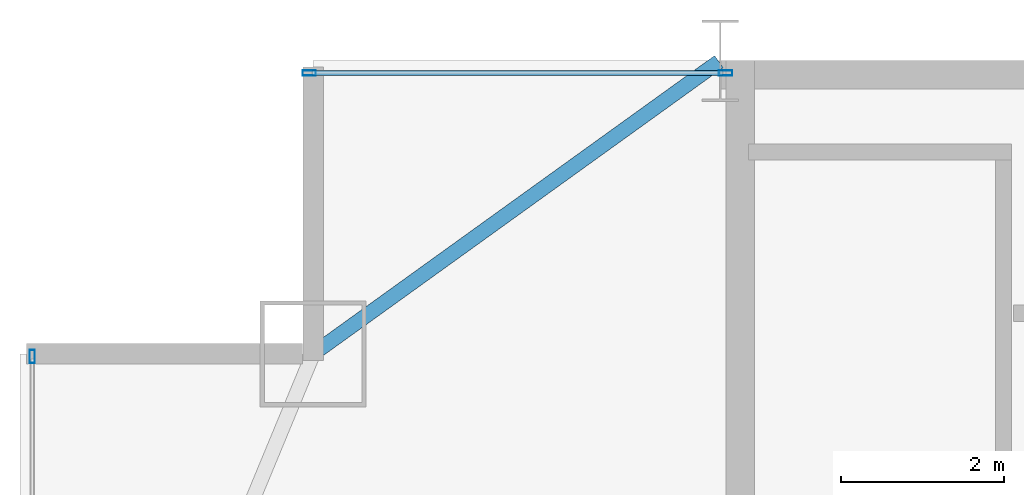
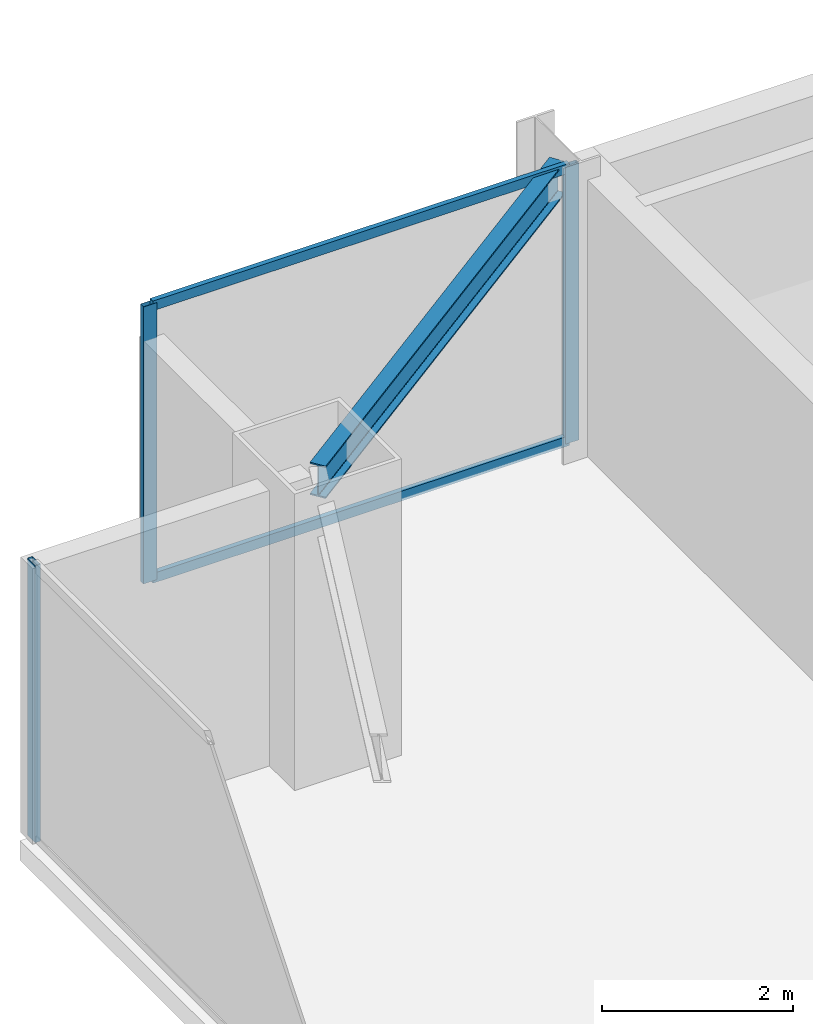
# One storey, part 19 of 30: 5 members, 1 beam, 2 elements without a shape of their own.
"""IFC4 building model written with IfcOpenShell, lengths in metres."""

from ifc_helpers import new_model, si_unit, direction, frame, origin, origin_2d, place, context, subcontext, project, spatial, hollow_rectangle, i_section, extrude, source, transform, mapped, material, layer, layer_set, material_profile, profile_set, type_object, type_shapes, element, aggregate, save


model = new_model("IFC4")

# Units and contexts
model_context = context("Model", 3, precision=1e-05, world=origin(), true_north=direction((0.0, 1.0)))
body_context = subcontext(model_context, "Body", "Model", "MODEL_VIEW")
ifc_project = project(units=[si_unit("LENGTHUNIT", "METRE"), si_unit("AREAUNIT", "SQUARE_METRE"), si_unit("VOLUMEUNIT", "CUBIC_METRE"), si_unit("PLANEANGLEUNIT", "RADIAN"), si_unit("MASSUNIT", "GRAM", prefix="KILO")], contexts=[model_context])

# Site, building, storey
site_placement = place(None, origin())
site = spatial("IfcSite", under=ifc_project, at=site_placement, CompositionType="ELEMENT")
building_placement = place(site_placement, origin())
building = spatial("IfcBuilding", under=site, at=building_placement, Name="Varnel Quay Broadcast Tower", CompositionType="ELEMENT")
storey_placement = place(building_placement, frame((0.0, 0.0, 168.60009765625)))
storey = spatial("IfcBuildingStorey", under=building, at=storey_placement, Name="L41", CompositionType="ELEMENT", Elevation=168.60009765625)

# Beam
ifc_material_1 = material(Name="Structural Steel CSA G40.21 350W", Category="steel")
ifc_material_profile_1 = material_profile(ifc_material_1, i_section(OverallWidth=0.180908203125, OverallDepth=0.4169921875, WebThickness=0.010986328125, FlangeThickness=0.018310546875, FilletRadius=0.011962890625, at=origin_2d()), Name="W410X85")
ifc_profile_set_1 = profile_set([ifc_material_profile_1], Name="Structural Steel CSA G40.21 350W")
beam_type = type_object("IfcBeamType", Name="Beam_W410X85", PredefinedType="SPANDREL", material=ifc_profile_set_1)
shared_shape_1 = source(origin(), body_context, "Body", "SweptSolid", [
    extrude(i_section(OverallWidth=0.180908203125, OverallDepth=0.4169921875, WebThickness=0.010986328125, FlangeThickness=0.018310546875, FilletRadius=0.011962890625, at=origin_2d()), origin(), (0.0, 0.0, 1.0), 6.12109375),
])
type_shapes(beam_type, [shared_shape_1])
beam_placement = place(storey_placement, frame((10.6162109375, 43.211669921875, 3.34130859375), z_axis=(0.811531315425, 0.584308928637, 0.0), x_axis=(-0.584308928637, 0.811531315425, 0.0)))
element("IfcBeam", 1, at=beam_placement, inside=storey, type_object=beam_type, Name="L41 NW Tie Spandrel", PredefinedType="SPANDREL", context=body_context, shape_type="MappedRepresentation", body=[
    mapped(shared_shape_1, transform((0.0, 0.0, 0.0), x_axis=(1.0, 0.0, 0.0), y_axis=(0.0, 1.0, 0.0), z_axis=(0.0, 0.0, 1.0), scale=1.0)),
])

# Curtain wall, members
ifc_material_2 = material(Name="Anodised Bronze Aluminium 6063-T6", Category="aluminium")
ifc_layer = layer(ifc_material_2, 0.18994140625, Name="Anodised Bronze Aluminium 6063-T6")
ifc_layer_set = layer_set([ifc_layer], Name="Anodised Bronze Aluminium 6063-T6")
curtain_wall_type = type_object("IfcCurtainWallType", Name="CW_UpperTower", PredefinedType="NOTDEFINED", material=ifc_layer_set)
curtain_wall_1_placement = place(storey_placement, origin())
curtain_wall_1 = element("IfcCurtainWall", 2, at=curtain_wall_1_placement, inside=storey, type_object=curtain_wall_type, Name="L41 NW Wing Curtain Wall", PredefinedType="NOTDEFINED")
ifc_material_profile_2 = material_profile(ifc_material_2, hollow_rectangle(XDim=0.06005859375, YDim=0.125, WallThickness=0.0029296875, at=origin_2d()), Name="ALU60X125X3")
ifc_profile_set_2 = profile_set([ifc_material_profile_2], Name="Anodised Bronze Aluminium 6063-T6")
member_type_1 = type_object("IfcMemberType", Name="Tran_CWS-03", PredefinedType="USERDEFINED", material=ifc_profile_set_2)
shared_shape_2 = source(origin(), body_context, "Body", "SweptSolid", [
    extrude(hollow_rectangle(XDim=0.06005859375, YDim=0.125, WallThickness=0.0029296875, at=origin_2d()), origin(), (0.0, 0.0, 1.0), 5.050048828125),
])
type_shapes(member_type_1, [shared_shape_2])
member_1_placement = place(storey_placement, frame((10.5849609375, 46.64990234375, 0.02978515625), z_axis=(1.0, 0.0, 0.0), x_axis=(0.0, 1.0, 0.0)))
member_1 = element("IfcMember", 3, at=member_1_placement, type_object=member_type_1, Name="CWS-03 transom 1.1", ObjectType="TRANSOM", PredefinedType="USERDEFINED", context=body_context, shape_type="MappedRepresentation", body=[
    mapped(shared_shape_2, transform((0.0, 0.0, 0.0), x_axis=(1.0, 0.0, 0.0), y_axis=(0.0, 1.0, 0.0), z_axis=(0.0, 0.0, 1.0), scale=1.0)),
])
member_2_placement = place(storey_placement, frame((10.5849609375, 46.64990234375, 3.52001953125), z_axis=(1.0, 0.0, 0.0), x_axis=(0.0, 1.0, 0.0)))
member_2 = element("IfcMember", 4, at=member_2_placement, type_object=member_type_1, Name="CWS-03 transom 1.2", ObjectType="TRANSOM", PredefinedType="USERDEFINED", context=body_context, shape_type="MappedRepresentation", body=[
    mapped(shared_shape_2, transform((0.0, 0.0, 0.0), x_axis=(1.0, 0.0, 0.0), y_axis=(0.0, 1.0, 0.0), z_axis=(0.0, 0.0, 1.0), scale=1.0)),
])

# Curtain wall, member
curtain_wall_2_placement = place(storey_placement, origin())
curtain_wall_2 = element("IfcCurtainWall", 5, at=curtain_wall_2_placement, inside=storey, type_object=curtain_wall_type, Name="L41 West Unitised Curtain Wall", PredefinedType="NOTDEFINED")
ifc_material_profile_3 = material_profile(ifc_material_2, hollow_rectangle(XDim=0.06494140625, YDim=0.1650390625, WallThickness=0.00341796875, at=origin_2d()), Name="ALU65X165X3.5")
ifc_profile_set_3 = profile_set([ifc_material_profile_3], Name="Anodised Bronze Aluminium 6063-T6")
member_type_2 = type_object("IfcMemberType", Name="Mull_CWS-03", PredefinedType="MULLION", material=ifc_profile_set_3)
shared_shape_3 = source(origin(), body_context, "Body", "SweptSolid", [
    extrude(hollow_rectangle(XDim=0.06494140625, YDim=0.1650390625, WallThickness=0.00341796875, at=origin_2d()), origin(), (0.0, 0.0, 1.0), 3.5498046875),
])
type_shapes(member_type_2, [shared_shape_3])
member_3_placement = place(storey_placement, frame((7.14990234375, 43.16748046875, 0.0), z_axis=(0.0, 0.0, 1.0), x_axis=(-1.0, 0.0, 0.0)))
member_3 = element("IfcMember", 6, at=member_3_placement, type_object=member_type_2, Name="CWS-03 mullion 4", PredefinedType="MULLION", context=body_context, shape_type="MappedRepresentation", body=[
    mapped(shared_shape_3, transform((0.0, 0.0, 0.0), x_axis=(1.0, 0.0, 0.0), y_axis=(0.0, 1.0, 0.0), z_axis=(0.0, 0.0, 1.0), scale=1.0)),
])
aggregate(curtain_wall_2, [member_3])

# Member
member_4_placement = place(storey_placement, frame((10.552490234375, 46.64990234375, 0.0), z_axis=(0.0, 0.0, 1.0), x_axis=(0.0, 1.0, 0.0)))
member_4 = element("IfcMember", 7, at=member_4_placement, type_object=member_type_2, Name="CWS-03 mullion 1", PredefinedType="MULLION", context=body_context, shape_type="MappedRepresentation", body=[
    mapped(shared_shape_3, transform((0.0, 0.0, 0.0), x_axis=(1.0, 0.0, 0.0), y_axis=(0.0, 1.0, 0.0), z_axis=(0.0, 0.0, 1.0), scale=1.0)),
])

member_5_placement = place(storey_placement, frame((15.66748046875, 46.64990234375, 0.0), z_axis=(0.0, 0.0, 1.0), x_axis=(0.0, 1.0, 0.0)))
member_5 = element("IfcMember", 8, at=member_5_placement, type_object=member_type_2, Name="CWS-03 mullion 2", PredefinedType="MULLION", context=body_context, shape_type="MappedRepresentation", body=[
    mapped(shared_shape_3, transform((0.0, 0.0, 0.0), x_axis=(1.0, 0.0, 0.0), y_axis=(0.0, 1.0, 0.0), z_axis=(0.0, 0.0, 1.0), scale=1.0)),
])

aggregate(curtain_wall_1, [member_4, member_5, member_1, member_2])

save(model, "model.ifc")
